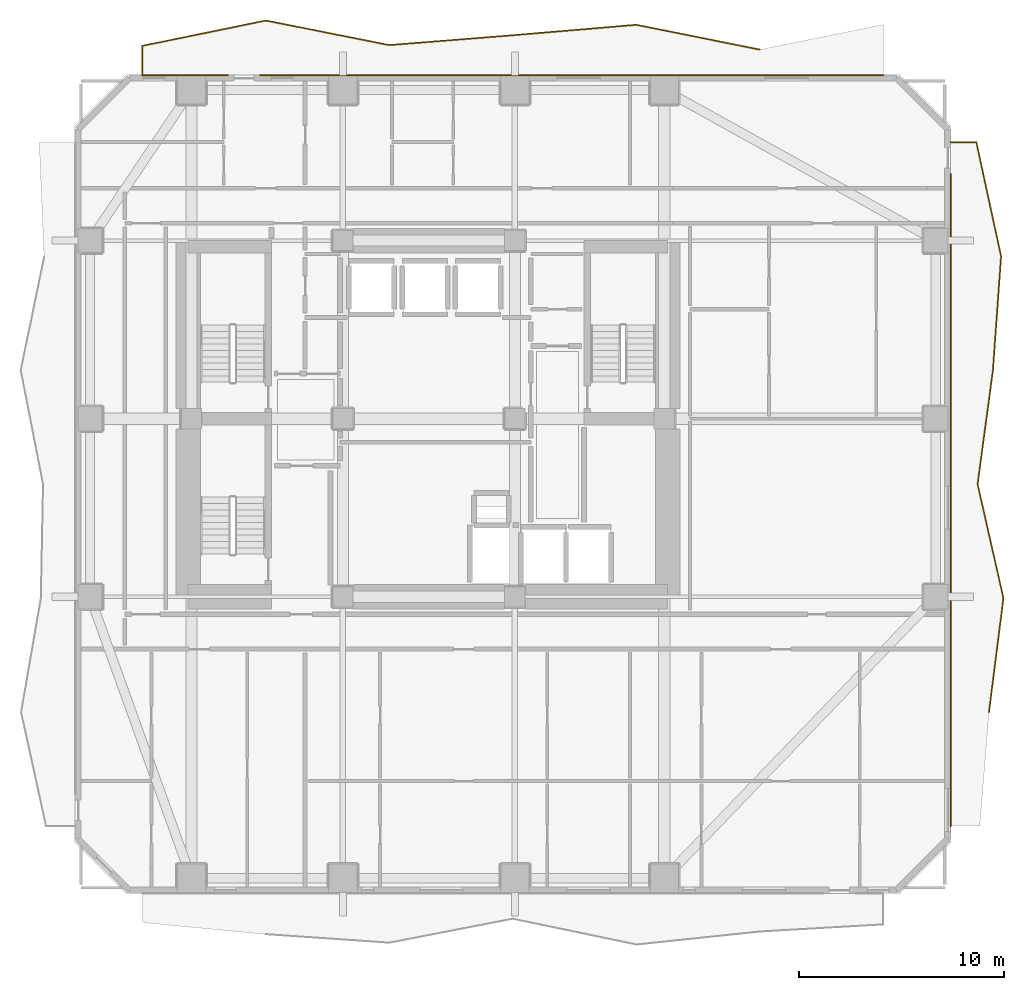
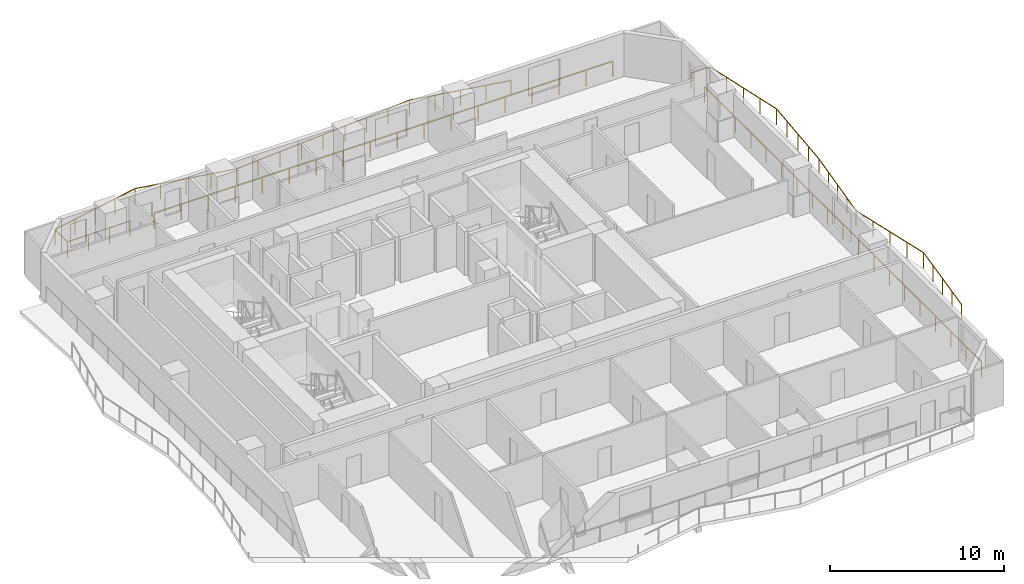
# One storey, part 10 of 10: 4 railings.
"""IFC4 building model written with IfcOpenShell, lengths in metres."""

import ifcopenshell
import ifcopenshell.guid

model = None  # the IFC model being written
_history = None  # IfcOwnerHistory: only IFC2X3 demands one
_inside = {}  # id of a spatial element -> (the spatial element, [elements in it])
_under = {}  # id of a project, library or spatial element -> (it, [spatial elements below it])
_declared = {}  # id of a project -> (the project, [libraries it declares])
_typed = {}  # id of a type object -> (the type object, [elements of that type])
_made_of = {}  # id of a material, layer set ... -> (it, [elements and type objects made of it])


def new_model(schema):
    """Start an empty IFC model of exactly this schema.

    Asked for "IFC4X3", IfcOpenShell would pick the latest addendum, in which some entities
    have other attributes; the version numbers below select the first issue.
    IFC2X3 requires an IfcOwnerHistory on every rooted entity: one is made here for all.
    """
    global model, _history
    if schema == "IFC4X3":
        model = ifcopenshell.file(schema_version=(4, 3, 0, 0))
    else:
        model = ifcopenshell.file(schema=schema)
    _inside.clear()
    _under.clear()
    _declared.clear()
    _typed.clear()
    _made_of.clear()
    _history = None
    if model.schema == "IFC2X3":
        org = make("IfcOrganization", Name="unknown")
        user = make(
            "IfcPersonAndOrganization",
            ThePerson=make("IfcPerson", FamilyName="unknown"),
            TheOrganization=org,
        )
        app = make(
            "IfcApplication",
            ApplicationDeveloper=org,
            Version="unknown",
            ApplicationFullName="unknown",
            ApplicationIdentifier="unknown",
        )
        _history = make(
            "IfcOwnerHistory",
            OwningUser=user,
            OwningApplication=app,
            ChangeAction="ADDED",
            CreationDate=0,
        )
    return model


def make(cls, **values):
    """One entity of the class cls with the attributes given. An attribute that is None is left unset."""
    return model.create_entity(
        cls, **{name: value for name, value in values.items() if value is not None}
    )


def rooted(cls, **values):
    """An entity with a GlobalId (a new one), such as an element, a storey or a relation."""
    return make(cls, GlobalId=ifcopenshell.guid.new(), OwnerHistory=_history, **values)


def si_unit(unit_type, name, prefix=None):
    """IfcSIUnit, for example si_unit("LENGTHUNIT", "METRE", prefix="MILLI")."""
    return make("IfcSIUnit", UnitType=unit_type, Prefix=prefix, Name=name)


def assignment(units):
    """IfcUnitAssignment: the units of a project."""
    return None if units is None else make("IfcUnitAssignment", Units=units)


def point(xyz):
    """IfcCartesianPoint."""
    return None if xyz is None else make("IfcCartesianPoint", Coordinates=xyz)


def direction(xyz):
    """IfcDirection."""
    return None if xyz is None else make("IfcDirection", DirectionRatios=xyz)


def frame(location, z_axis=None, x_axis=None):
    """IfcAxis2Placement3D, a coordinate frame: its origin and axes. An axis left out is left unset."""
    return make(
        "IfcAxis2Placement3D",
        Location=point(location),
        Axis=direction(z_axis),
        RefDirection=direction(x_axis),
    )


def frame_2d(location, x_axis=None):
    """IfcAxis2Placement2D, a coordinate frame in the plane: its origin and x axis."""
    return make(
        "IfcAxis2Placement2D", Location=point(location), RefDirection=direction(x_axis)
    )


def origin():
    """The frame at (0, 0, 0) with its axes left unset."""
    return frame((0.0, 0.0, 0.0))


def origin_2d():
    """The frame at (0, 0) in the plane with its x axis left unset."""
    return frame_2d((0.0, 0.0))


def place(relative_to, where):
    """IfcLocalPlacement: puts the frame where relative to a parent placement (None: the world)."""
    return make(
        "IfcLocalPlacement", PlacementRelTo=relative_to, RelativePlacement=where
    )


def context(
    kind, dimensions, precision=None, world=None, true_north=None, identifier=None
):
    """IfcGeometricRepresentationContext, for example the 3D "Model" context."""
    return make(
        "IfcGeometricRepresentationContext",
        ContextIdentifier=identifier,
        ContextType=kind,
        CoordinateSpaceDimension=dimensions,
        Precision=precision,
        WorldCoordinateSystem=world,
        TrueNorth=true_north,
    )


def subcontext(parent, identifier, kind, view, scale=None):
    """IfcGeometricRepresentationSubContext, for example "Body" below "Model"."""
    return make(
        "IfcGeometricRepresentationSubContext",
        ContextIdentifier=identifier,
        ContextType=kind,
        ParentContext=parent,
        TargetScale=scale,
        TargetView=view,
    )


def project(units=None, contexts=None):
    """IfcProject with its units and contexts."""
    return rooted(
        "IfcProject",
        Name="project",
        RepresentationContexts=contexts,
        UnitsInContext=assignment(units),
    )


def spatial(cls, under=None, at=None, **own):
    """A site, building, storey or space (cls), placed at a placement, below another one or the project."""
    s = rooted(cls, ObjectPlacement=at, **own)
    if under is not None:
        _under.setdefault(under.id(), (under, []))[1].append(s)
    return s


def profile(cls, at=None, kind="AREA", **sizes):
    """A parametric profile (cls). Its sizes go by their IFC names, for example OverallWidth=200.0."""
    return make(cls, ProfileType=kind, Position=at, **sizes)


def rectangle(**sizes):
    """IfcRectangleProfileDef."""
    return profile("IfcRectangleProfileDef", **sizes)


def extrude(swept, where, along, depth):
    """IfcExtrudedAreaSolid: the profile swept, set in the frame where, extruded along a direction by depth."""
    return make(
        "IfcExtrudedAreaSolid",
        SweptArea=swept,
        Position=where,
        ExtrudedDirection=direction(along),
        Depth=depth,
    )


def shape(context_of_items, identifier, shape_type, items):
    """IfcShapeRepresentation: the items that make up one representation, for example the "Body"."""
    return make(
        "IfcShapeRepresentation",
        ContextOfItems=context_of_items,
        RepresentationIdentifier=identifier,
        RepresentationType=shape_type,
        Items=items,
    )


def material(Name=None, Category=None):
    """IfcMaterial."""
    return make("IfcMaterial", Name=Name, Category=Category)


def made_of(thing, what):
    """Note that an element or type object is made of a material, layer set ...; save() writes the relation."""
    if what is not None:
        _made_of.setdefault(what.id(), (what, []))[1].append(thing)
    return thing


def type_object(cls, material=None, **own):
    """A type object (cls), such as IfcWallType, which elements share."""
    return made_of(rooted(cls, **own), material)


def element(
    cls,
    number,
    at=None,
    inside=None,
    cuts=None,
    type_object=None,
    material=None,
    context=None,
    identifier="Body",
    shape_type=None,
    held_by="IfcProductDefinitionShape",
    body=None,
    shapes=None,
    **own,
):
    """One element of the class cls, such as IfcWall. Its Tag is "e" and its number.

    at: its placement. inside: the storey or other place that contains it. cuts: it is an
    opening in that element (IfcRelVoidsElement). A single representation is given by context,
    identifier, shape_type and body (its items); several are given by shapes. held_by: the class
    of the entity that holds the representations. save() writes the other relations.
    """
    e = rooted(cls, Tag="e%d" % number, ObjectPlacement=at, **own)
    if body is not None:
        shapes = [shape(context, identifier, shape_type, body)]
    if shapes is not None:
        e.Representation = make(held_by, Representations=shapes)
    if inside is not None:
        _inside.setdefault(inside.id(), (inside, []))[1].append(e)
    if cuts is not None:
        rooted(
            "IfcRelVoidsElement", RelatingBuildingElement=cuts, RelatedOpeningElement=e
        )
    if type_object is not None:
        _typed.setdefault(type_object.id(), (type_object, []))[1].append(e)
    return made_of(e, material)


def aggregate(whole, parts):
    """IfcRelAggregates: a whole, such as a stair, and the parts it consists of."""
    return rooted("IfcRelAggregates", RelatingObject=whole, RelatedObjects=parts)


def save(model, path):
    """Write the relations noted so far, then the file.

    IfcRelAggregates (storeys below a building ...), IfcRelContainedInSpatialStructure (elements
    in a storey), IfcRelDefinesByType, IfcRelAssociatesMaterial and IfcRelDeclares: one each for
    every whole, place, type object, material and project.
    """
    for whole, parts in _under.values():
        aggregate(whole, parts)
    for where, things in _inside.values():
        rooted(
            "IfcRelContainedInSpatialStructure",
            RelatedElements=things,
            RelatingStructure=where,
        )
    for kind, things in _typed.values():
        rooted("IfcRelDefinesByType", RelatedObjects=things, RelatingType=kind)
    for what, things in _made_of.values():
        rooted("IfcRelAssociatesMaterial", RelatedObjects=things, RelatingMaterial=what)
    for by, libraries in _declared.values():
        rooted("IfcRelDeclares", RelatingContext=by, RelatedDefinitions=libraries)
    model.write(path)


model = new_model("IFC4")

# Units and contexts
model_context = context("Model", 3, precision=1e-05, world=origin(), true_north=direction((0.0, 1.0)))
body_context = subcontext(model_context, "Body", "Model", "MODEL_VIEW")
ifc_project = project(units=[si_unit("LENGTHUNIT", "METRE"), si_unit("AREAUNIT", "SQUARE_METRE"), si_unit("VOLUMEUNIT", "CUBIC_METRE"), si_unit("PLANEANGLEUNIT", "RADIAN"), si_unit("MASSUNIT", "GRAM", prefix="KILO")], contexts=[model_context])

# Site, building, storey
site_placement = place(None, origin())
site = spatial("IfcSite", under=ifc_project, at=site_placement, CompositionType="ELEMENT")
building_placement = place(site_placement, origin())
building = spatial("IfcBuilding", under=site, at=building_placement, Name="Solanera Arch Residences", CompositionType="ELEMENT")
storey_placement = place(building_placement, frame((0.0, 0.0, 51.8798828125)))
storey = spatial("IfcBuildingStorey", under=building, at=storey_placement, Name="L14", CompositionType="ELEMENT", Elevation=51.8798828125)

# Railings
ifc_material = material(Name="Steel S355 (ASTM A992 / A572 Grade 50)", Category="steel")
railing_type = type_object("IfcRailingType", Name="Balustrade Railing BL-1100", PredefinedType="BALUSTRADE", material=ifc_material)
railing_1_placement = place(storey_placement, frame((41.1669921875, 48.72998046875, 0.0)))
element("IfcRailing", 1, at=railing_1_placement, inside=storey, type_object=railing_type, Name="L14 N Balcony Balustrade 1", PredefinedType="BALUSTRADE", context=body_context, shape_type="SweptSolid", body=[
    extrude(rectangle(XDim=0.048095703125, YDim=0.048095703125, at=origin_2d()), frame((0.0, 0.0, 1.09619140625), z_axis=(-0.980420146666, 0.196917079023, 0.0), x_axis=(-0.196917079023, -0.980420146666, 0.0)), (0.0, 0.0, 1.0), 6.154541015625),
    extrude(rectangle(XDim=0.048095703125, YDim=0.048095703125, at=origin_2d()), frame((-6.033935546875, 1.2119140625, 1.09619140625), z_axis=(-0.996432214258, -0.084396933529, 0.0), x_axis=(0.084396933529, -0.996432214258, 0.0)), (0.0, 0.0, 1.0), 6.054443359375),
    extrude(rectangle(XDim=0.048095703125, YDim=0.048095703125, at=origin_2d()), frame((-12.06689453125, 0.700927734375, 1.09619140625), z_axis=(-0.996850325799, -0.079305913747, 0.0), x_axis=(0.079305913747, -0.996850325799, 0.0)), (0.0, 0.0, 1.0), 6.05224609375),
    extrude(rectangle(XDim=0.048095703125, YDim=0.048095703125, at=origin_2d()), frame((-18.10009765625, 0.220947265625, 1.09619140625), z_axis=(-0.980854466811, 0.194742175547, 0.0), x_axis=(-0.194742175547, -0.980854466811, 0.0)), (0.0, 0.0, 1.0), 6.151611328125),
    extrude(rectangle(XDim=0.048095703125, YDim=0.048095703125, at=origin_2d()), frame((-24.134033203125, 1.4189453125, 1.09619140625), z_axis=(-0.979625504858, -0.200832941104, 0.0), x_axis=(0.200832941104, -0.979625504858, 0.0)), (0.0, 0.0, 1.0), 6.158447265625),
    extrude(rectangle(XDim=0.048095703125, YDim=0.048095703125, at=origin_2d()), frame((-30.1669921875, 0.18212890625, 1.09619140625), z_axis=(0.0, -1.0, 0.0), x_axis=(1.0, 0.0, 0.0)), (0.0, 0.0, 1.0), 1.43212890625),
    extrude(rectangle(XDim=0.048095703125, YDim=0.048095703125, at=origin_2d()), frame((-30.1669921875, -1.25, 1.09619140625), z_axis=(1.0, 0.0, 0.0), x_axis=(0.0, 1.0, 0.0)), (0.0, 0.0, 1.0), 4.16796875),
    extrude(rectangle(XDim=0.0419921875, YDim=0.0419921875, at=origin_2d()), origin(), (0.0, 0.0, 1.0), 1.072021484375),
    extrude(rectangle(XDim=0.0419921875, YDim=0.0419921875, at=origin_2d()), frame((-1.508544921875, 0.302978515625, 0.0)), (0.0, 0.0, 1.0), 1.072021484375),
    extrude(rectangle(XDim=0.0419921875, YDim=0.0419921875, at=origin_2d()), frame((-3.01708984375, 0.60595703125, 0.0)), (0.0, 0.0, 1.0), 1.072021484375),
    extrude(rectangle(XDim=0.0419921875, YDim=0.0419921875, at=origin_2d()), frame((-4.525390625, 0.908935546875, 0.0)), (0.0, 0.0, 1.0), 1.072021484375),
    extrude(rectangle(XDim=0.0419921875, YDim=0.0419921875, at=origin_2d()), frame((-6.033935546875, 1.2119140625, 0.0)), (0.0, 0.0, 1.0), 1.072021484375),
    extrude(rectangle(XDim=0.0419921875, YDim=0.0419921875, at=origin_2d()), frame((-7.542236328125, 1.084228515625, 0.0)), (0.0, 0.0, 1.0), 1.072021484375),
    extrude(rectangle(XDim=0.0419921875, YDim=0.0419921875, at=origin_2d()), frame((-9.05029296875, 0.95654296875, 0.0)), (0.0, 0.0, 1.0), 1.072021484375),
    extrude(rectangle(XDim=0.0419921875, YDim=0.0419921875, at=origin_2d()), frame((-10.55859375, 0.82861328125, 0.0)), (0.0, 0.0, 1.0), 1.072021484375),
    extrude(rectangle(XDim=0.0419921875, YDim=0.0419921875, at=origin_2d()), frame((-12.06689453125, 0.700927734375, 0.0)), (0.0, 0.0, 1.0), 1.072021484375),
    extrude(rectangle(XDim=0.0419921875, YDim=0.0419921875, at=origin_2d()), frame((-13.5751953125, 0.5810546875, 0.0)), (0.0, 0.0, 1.0), 1.072021484375),
    extrude(rectangle(XDim=0.0419921875, YDim=0.0419921875, at=origin_2d()), frame((-15.08349609375, 0.4609375, 0.0)), (0.0, 0.0, 1.0), 1.072021484375),
    extrude(rectangle(XDim=0.0419921875, YDim=0.0419921875, at=origin_2d()), frame((-16.591796875, 0.3408203125, 0.0)), (0.0, 0.0, 1.0), 1.072021484375),
    extrude(rectangle(XDim=0.0419921875, YDim=0.0419921875, at=origin_2d()), frame((-18.10009765625, 0.220947265625, 0.0)), (0.0, 0.0, 1.0), 1.072021484375),
    extrude(rectangle(XDim=0.0419921875, YDim=0.0419921875, at=origin_2d()), frame((-19.608642578125, 0.5205078125, 0.0)), (0.0, 0.0, 1.0), 1.072021484375),
    extrude(rectangle(XDim=0.0419921875, YDim=0.0419921875, at=origin_2d()), frame((-21.1171875, 0.81982421875, 0.0)), (0.0, 0.0, 1.0), 1.072021484375),
    extrude(rectangle(XDim=0.0419921875, YDim=0.0419921875, at=origin_2d()), frame((-22.62548828125, 1.119384765625, 0.0)), (0.0, 0.0, 1.0), 1.072021484375),
    extrude(rectangle(XDim=0.0419921875, YDim=0.0419921875, at=origin_2d()), frame((-24.134033203125, 1.4189453125, 0.0)), (0.0, 0.0, 1.0), 1.072021484375),
    extrude(rectangle(XDim=0.0419921875, YDim=0.0419921875, at=origin_2d()), frame((-25.642333984375, 1.10986328125, 0.0)), (0.0, 0.0, 1.0), 1.072021484375),
    extrude(rectangle(XDim=0.0419921875, YDim=0.0419921875, at=origin_2d()), frame((-27.150390625, 0.800537109375, 0.0)), (0.0, 0.0, 1.0), 1.072021484375),
    extrude(rectangle(XDim=0.0419921875, YDim=0.0419921875, at=origin_2d()), frame((-28.65869140625, 0.4912109375, 0.0)), (0.0, 0.0, 1.0), 1.072021484375),
    extrude(rectangle(XDim=0.0419921875, YDim=0.0419921875, at=origin_2d()), frame((-30.1669921875, 0.18212890625, 0.0)), (0.0, 0.0, 1.0), 1.072021484375),
    extrude(rectangle(XDim=0.0419921875, YDim=0.0419921875, at=origin_2d()), frame((-30.1669921875, -1.25, 0.0)), (0.0, 0.0, 1.0), 1.072021484375),
    extrude(rectangle(XDim=0.0419921875, YDim=0.0419921875, at=origin_2d()), frame((-28.777587890625, -1.25, 0.0)), (0.0, 0.0, 1.0), 1.072021484375),
    extrude(rectangle(XDim=0.0419921875, YDim=0.0419921875, at=origin_2d()), frame((-27.388427734375, -1.25, 0.0)), (0.0, 0.0, 1.0), 1.072021484375),
    extrude(rectangle(XDim=0.0419921875, YDim=0.0419921875, at=origin_2d()), frame((-25.9990234375, -1.25, 0.0)), (0.0, 0.0, 1.0), 1.072021484375),
])
railing_2_placement = place(storey_placement, frame((16.76806640625, 47.47998046875, 0.0)))
element("IfcRailing", 2, at=railing_2_placement, inside=storey, type_object=railing_type, Name="L14 N Balcony Balustrade 2", PredefinedType="BALUSTRADE", context=body_context, shape_type="SweptSolid", body=[
    extrude(rectangle(XDim=0.048095703125, YDim=0.048095703125, at=origin_2d()), frame((0.0, 0.0, 1.09619140625), z_axis=(1.0, 0.0, 0.0), x_axis=(0.0, 1.0, 0.0)), (0.0, 0.0, 1.0), 30.431884765625),
    extrude(rectangle(XDim=0.0419921875, YDim=0.0419921875, at=origin_2d()), origin(), (0.0, 0.0, 1.0), 1.072021484375),
    extrude(rectangle(XDim=0.0419921875, YDim=0.0419921875, at=origin_2d()), frame((1.7900390625, 0.0, 0.0)), (0.0, 0.0, 1.0), 1.072021484375),
    extrude(rectangle(XDim=0.0419921875, YDim=0.0419921875, at=origin_2d()), frame((3.580322265625, 0.0, 0.0)), (0.0, 0.0, 1.0), 1.072021484375),
    extrude(rectangle(XDim=0.0419921875, YDim=0.0419921875, at=origin_2d()), frame((5.370361328125, 0.0, 0.0)), (0.0, 0.0, 1.0), 1.072021484375),
    extrude(rectangle(XDim=0.0419921875, YDim=0.0419921875, at=origin_2d()), frame((7.160400390625, 0.0, 0.0)), (0.0, 0.0, 1.0), 1.072021484375),
    extrude(rectangle(XDim=0.0419921875, YDim=0.0419921875, at=origin_2d()), frame((8.950439453125, 0.0, 0.0)), (0.0, 0.0, 1.0), 1.072021484375),
    extrude(rectangle(XDim=0.0419921875, YDim=0.0419921875, at=origin_2d()), frame((10.74072265625, 0.0, 0.0)), (0.0, 0.0, 1.0), 1.072021484375),
    extrude(rectangle(XDim=0.0419921875, YDim=0.0419921875, at=origin_2d()), frame((12.53076171875, 0.0, 0.0)), (0.0, 0.0, 1.0), 1.072021484375),
    extrude(rectangle(XDim=0.0419921875, YDim=0.0419921875, at=origin_2d()), frame((14.32080078125, 0.0, 0.0)), (0.0, 0.0, 1.0), 1.072021484375),
    extrude(rectangle(XDim=0.0419921875, YDim=0.0419921875, at=origin_2d()), frame((16.111083984375, 0.0, 0.0)), (0.0, 0.0, 1.0), 1.072021484375),
    extrude(rectangle(XDim=0.0419921875, YDim=0.0419921875, at=origin_2d()), frame((17.901123046875, 0.0, 0.0)), (0.0, 0.0, 1.0), 1.072021484375),
    extrude(rectangle(XDim=0.0419921875, YDim=0.0419921875, at=origin_2d()), frame((19.691162109375, 0.0, 0.0)), (0.0, 0.0, 1.0), 1.072021484375),
    extrude(rectangle(XDim=0.0419921875, YDim=0.0419921875, at=origin_2d()), frame((21.4814453125, 0.0, 0.0)), (0.0, 0.0, 1.0), 1.072021484375),
    extrude(rectangle(XDim=0.0419921875, YDim=0.0419921875, at=origin_2d()), frame((23.271484375, 0.0, 0.0)), (0.0, 0.0, 1.0), 1.072021484375),
    extrude(rectangle(XDim=0.0419921875, YDim=0.0419921875, at=origin_2d()), frame((25.0615234375, 0.0, 0.0)), (0.0, 0.0, 1.0), 1.072021484375),
    extrude(rectangle(XDim=0.0419921875, YDim=0.0419921875, at=origin_2d()), frame((26.8515625, 0.0, 0.0)), (0.0, 0.0, 1.0), 1.072021484375),
    extrude(rectangle(XDim=0.0419921875, YDim=0.0419921875, at=origin_2d()), frame((28.641845703125, 0.0, 0.0)), (0.0, 0.0, 1.0), 1.072021484375),
    extrude(rectangle(XDim=0.0419921875, YDim=0.0419921875, at=origin_2d()), frame((30.431884765625, 0.0, 0.0)), (0.0, 0.0, 1.0), 1.072021484375),
])
railing_3_placement = place(storey_placement, frame((52.35693359375, 16.366943359375, 0.0)))
element("IfcRailing", 3, at=railing_3_placement, inside=storey, type_object=railing_type, Name="L14 E Balcony Balustrade 1", PredefinedType="BALUSTRADE", context=body_context, shape_type="SweptSolid", body=[
    extrude(rectangle(XDim=0.048095703125, YDim=0.048095703125, at=origin_2d()), frame((0.0, 0.0, 1.09619140625), z_axis=(0.126010600465, 0.992028895028, 0.0), x_axis=(-0.992028895028, 0.126010600465, 0.0)), (0.0, 0.0, 1.0), 5.61083984375),
    extrude(rectangle(XDim=0.048095703125, YDim=0.048095703125, at=origin_2d()), frame((0.70703125, 5.566162109375, 1.09619140625), z_axis=(-0.2209185396, 0.975292263304, 0.0), x_axis=(-0.975292263304, -0.2209185396, 0.0)), (0.0, 0.0, 1.0), 5.7080078125),
    extrude(rectangle(XDim=0.048095703125, YDim=0.048095703125, at=origin_2d()), frame((-0.553955078125, 11.133056640625, 1.09619140625), z_axis=(0.133177205041, 0.991092241952, 0.0), x_axis=(-0.991092241952, 0.133177205041, 0.0)), (0.0, 0.0, 1.0), 5.616943359375),
    extrude(rectangle(XDim=0.048095703125, YDim=0.048095703125, at=origin_2d()), frame((0.194091796875, 16.699951171875, 1.09619140625), z_axis=(0.071312341568, 0.997454033999, 0.0), x_axis=(-0.997454033999, 0.071312341568, 0.0)), (0.0, 0.0, 1.0), 5.580322265625),
    extrude(rectangle(XDim=0.048095703125, YDim=0.048095703125, at=origin_2d()), frame((0.592041015625, 22.26611328125, 1.09619140625), z_axis=(-0.211899357151, 0.977291493076, 0.0), x_axis=(-0.977291493076, -0.211899357151, 0.0)), (0.0, 0.0, 1.0), 5.6962890625),
    extrude(rectangle(XDim=0.048095703125, YDim=0.048095703125, at=origin_2d()), frame((-0.614990234375, 27.8330078125, 1.09619140625), z_axis=(-1.0, 0.0, 0.0), x_axis=(0.0, -1.0, 0.0)), (0.0, 0.0, 1.0), 1.261962890625),
    extrude(rectangle(XDim=0.0419921875, YDim=0.0419921875, at=origin_2d()), origin(), (0.0, 0.0, 1.0), 1.072021484375),
    extrude(rectangle(XDim=0.0419921875, YDim=0.0419921875, at=origin_2d()), frame((0.1767578125, 1.3916015625, 0.0)), (0.0, 0.0, 1.0), 1.072021484375),
    extrude(rectangle(XDim=0.0419921875, YDim=0.0419921875, at=origin_2d()), frame((0.353515625, 2.783203125, 0.0)), (0.0, 0.0, 1.0), 1.072021484375),
    extrude(rectangle(XDim=0.0419921875, YDim=0.0419921875, at=origin_2d()), frame((0.5302734375, 4.174560546875, 0.0)), (0.0, 0.0, 1.0), 1.072021484375),
    extrude(rectangle(XDim=0.0419921875, YDim=0.0419921875, at=origin_2d()), frame((0.70703125, 5.566162109375, 0.0)), (0.0, 0.0, 1.0), 1.072021484375),
    extrude(rectangle(XDim=0.0419921875, YDim=0.0419921875, at=origin_2d()), frame((0.391845703125, 6.9580078125, 0.0)), (0.0, 0.0, 1.0), 1.072021484375),
    extrude(rectangle(XDim=0.0419921875, YDim=0.0419921875, at=origin_2d()), frame((0.07666015625, 8.349609375, 0.0)), (0.0, 0.0, 1.0), 1.072021484375),
    extrude(rectangle(XDim=0.0419921875, YDim=0.0419921875, at=origin_2d()), frame((-0.23876953125, 9.7412109375, 0.0)), (0.0, 0.0, 1.0), 1.072021484375),
    extrude(rectangle(XDim=0.0419921875, YDim=0.0419921875, at=origin_2d()), frame((-0.553955078125, 11.133056640625, 0.0)), (0.0, 0.0, 1.0), 1.072021484375),
    extrude(rectangle(XDim=0.0419921875, YDim=0.0419921875, at=origin_2d()), frame((-0.366943359375, 12.52490234375, 0.0)), (0.0, 0.0, 1.0), 1.072021484375),
    extrude(rectangle(XDim=0.0419921875, YDim=0.0419921875, at=origin_2d()), frame((-0.179931640625, 13.91650390625, 0.0)), (0.0, 0.0, 1.0), 1.072021484375),
    extrude(rectangle(XDim=0.0419921875, YDim=0.0419921875, at=origin_2d()), frame((0.007080078125, 15.30810546875, 0.0)), (0.0, 0.0, 1.0), 1.072021484375),
    extrude(rectangle(XDim=0.0419921875, YDim=0.0419921875, at=origin_2d()), frame((0.194091796875, 16.699951171875, 0.0)), (0.0, 0.0, 1.0), 1.072021484375),
    extrude(rectangle(XDim=0.0419921875, YDim=0.0419921875, at=origin_2d()), frame((0.29345703125, 18.091552734375, 0.0)), (0.0, 0.0, 1.0), 1.072021484375),
    extrude(rectangle(XDim=0.0419921875, YDim=0.0419921875, at=origin_2d()), frame((0.39306640625, 19.48291015625, 0.0)), (0.0, 0.0, 1.0), 1.072021484375),
    extrude(rectangle(XDim=0.0419921875, YDim=0.0419921875, at=origin_2d()), frame((0.49267578125, 20.87451171875, 0.0)), (0.0, 0.0, 1.0), 1.072021484375),
    extrude(rectangle(XDim=0.0419921875, YDim=0.0419921875, at=origin_2d()), frame((0.592041015625, 22.26611328125, 0.0)), (0.0, 0.0, 1.0), 1.072021484375),
    extrude(rectangle(XDim=0.0419921875, YDim=0.0419921875, at=origin_2d()), frame((0.290283203125, 23.65771484375, 0.0)), (0.0, 0.0, 1.0), 1.072021484375),
    extrude(rectangle(XDim=0.0419921875, YDim=0.0419921875, at=origin_2d()), frame((-0.011474609375, 25.049560546875, 0.0)), (0.0, 0.0, 1.0), 1.072021484375),
    extrude(rectangle(XDim=0.0419921875, YDim=0.0419921875, at=origin_2d()), frame((-0.313232421875, 26.44140625, 0.0)), (0.0, 0.0, 1.0), 1.072021484375),
    extrude(rectangle(XDim=0.0419921875, YDim=0.0419921875, at=origin_2d()), frame((-0.614990234375, 27.8330078125, 0.0)), (0.0, 0.0, 1.0), 1.072021484375),
    extrude(rectangle(XDim=0.0419921875, YDim=0.0419921875, at=origin_2d()), frame((-1.876953125, 27.8330078125, 0.0)), (0.0, 0.0, 1.0), 1.072021484375),
])
railing_4_placement = place(storey_placement, frame((50.47998046875, 42.634033203125, 0.0)))
element("IfcRailing", 4, at=railing_4_placement, inside=storey, type_object=railing_type, Name="L14 E Balcony Balustrade 2", PredefinedType="BALUSTRADE", context=body_context, shape_type="SweptSolid", body=[
    extrude(rectangle(XDim=0.048095703125, YDim=0.048095703125, at=origin_2d()), frame((0.0, 0.0, 1.09619140625), z_axis=(0.0, -1.0, 0.0), x_axis=(1.0, 0.0, 0.0)), (0.0, 0.0, 1.0), 31.833984375),
    extrude(rectangle(XDim=0.0419921875, YDim=0.0419921875, at=origin_2d()), origin(), (0.0, 0.0, 1.0), 1.072021484375),
    extrude(rectangle(XDim=0.0419921875, YDim=0.0419921875, at=origin_2d()), frame((0.0, -1.7685546875, 0.0)), (0.0, 0.0, 1.0), 1.072021484375),
    extrude(rectangle(XDim=0.0419921875, YDim=0.0419921875, at=origin_2d()), frame((0.0, -3.537109375, 0.0)), (0.0, 0.0, 1.0), 1.072021484375),
    extrude(rectangle(XDim=0.0419921875, YDim=0.0419921875, at=origin_2d()), frame((0.0, -5.3056640625, 0.0)), (0.0, 0.0, 1.0), 1.072021484375),
    extrude(rectangle(XDim=0.0419921875, YDim=0.0419921875, at=origin_2d()), frame((0.0, -7.07421875, 0.0)), (0.0, 0.0, 1.0), 1.072021484375),
    extrude(rectangle(XDim=0.0419921875, YDim=0.0419921875, at=origin_2d()), frame((0.0, -8.8427734375, 0.0)), (0.0, 0.0, 1.0), 1.072021484375),
    extrude(rectangle(XDim=0.0419921875, YDim=0.0419921875, at=origin_2d()), frame((0.0, -10.611328125, 0.0)), (0.0, 0.0, 1.0), 1.072021484375),
    extrude(rectangle(XDim=0.0419921875, YDim=0.0419921875, at=origin_2d()), frame((0.0, -12.3798828125, 0.0)), (0.0, 0.0, 1.0), 1.072021484375),
    extrude(rectangle(XDim=0.0419921875, YDim=0.0419921875, at=origin_2d()), frame((0.0, -14.1484375, 0.0)), (0.0, 0.0, 1.0), 1.072021484375),
    extrude(rectangle(XDim=0.0419921875, YDim=0.0419921875, at=origin_2d()), frame((0.0, -15.9169921875, 0.0)), (0.0, 0.0, 1.0), 1.072021484375),
    extrude(rectangle(XDim=0.0419921875, YDim=0.0419921875, at=origin_2d()), frame((0.0, -17.685546875, 0.0)), (0.0, 0.0, 1.0), 1.072021484375),
    extrude(rectangle(XDim=0.0419921875, YDim=0.0419921875, at=origin_2d()), frame((0.0, -19.4541015625, 0.0)), (0.0, 0.0, 1.0), 1.072021484375),
    extrude(rectangle(XDim=0.0419921875, YDim=0.0419921875, at=origin_2d()), frame((0.0, -21.22265625, 0.0)), (0.0, 0.0, 1.0), 1.072021484375),
    extrude(rectangle(XDim=0.0419921875, YDim=0.0419921875, at=origin_2d()), frame((0.0, -22.9912109375, 0.0)), (0.0, 0.0, 1.0), 1.072021484375),
    extrude(rectangle(XDim=0.0419921875, YDim=0.0419921875, at=origin_2d()), frame((0.0, -24.759765625, 0.0)), (0.0, 0.0, 1.0), 1.072021484375),
    extrude(rectangle(XDim=0.0419921875, YDim=0.0419921875, at=origin_2d()), frame((0.0, -26.5283203125, 0.0)), (0.0, 0.0, 1.0), 1.072021484375),
    extrude(rectangle(XDim=0.0419921875, YDim=0.0419921875, at=origin_2d()), frame((0.0, -28.296875, 0.0)), (0.0, 0.0, 1.0), 1.072021484375),
    extrude(rectangle(XDim=0.0419921875, YDim=0.0419921875, at=origin_2d()), frame((0.0, -30.0654296875, 0.0)), (0.0, 0.0, 1.0), 1.072021484375),
    extrude(rectangle(XDim=0.0419921875, YDim=0.0419921875, at=origin_2d()), frame((0.0, -31.833984375, 0.0)), (0.0, 0.0, 1.0), 1.072021484375),
])

save(model, "model.ifc")
